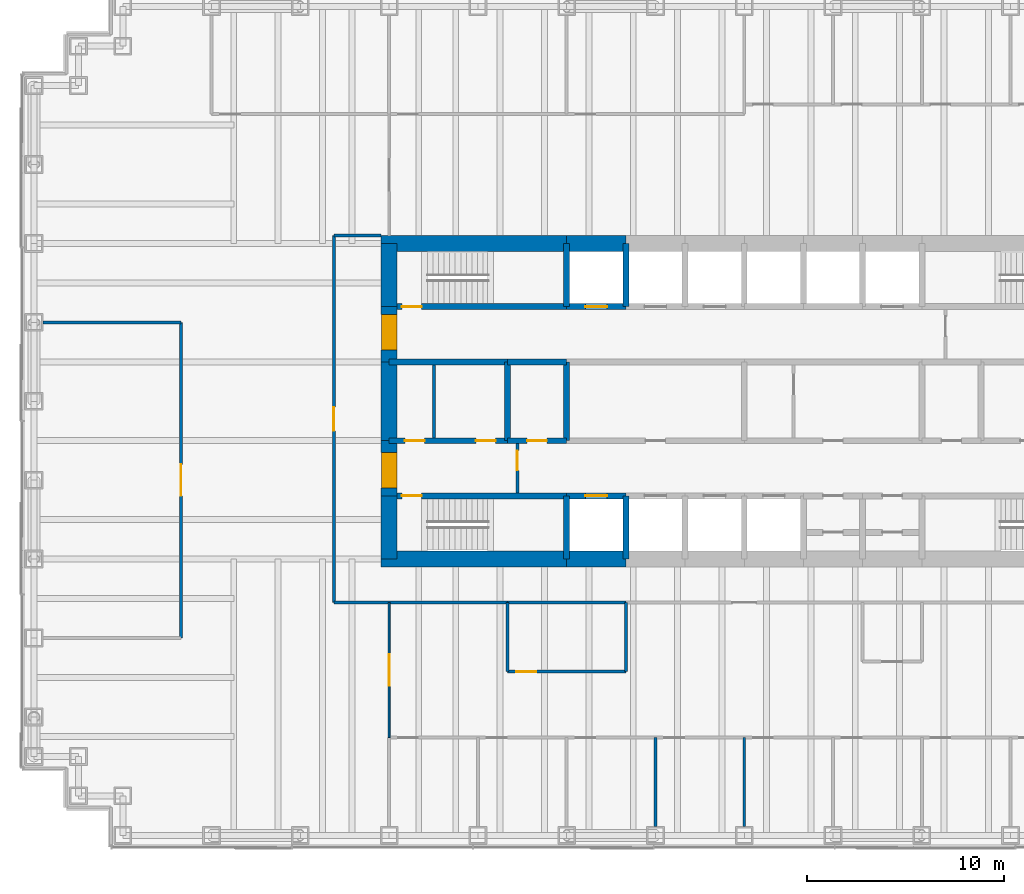
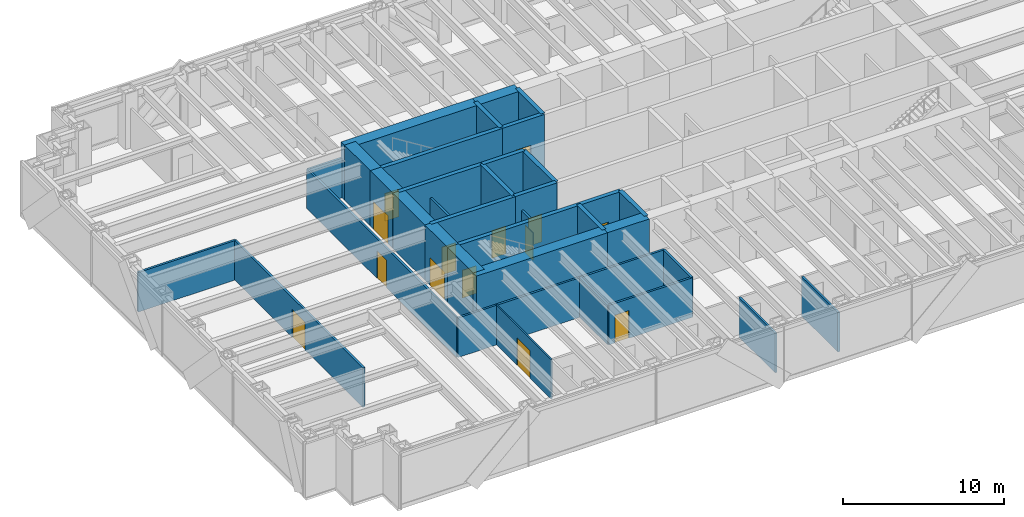
# One storey, part 11 of 16: 37 walls, 14 doors, 14 openings.
"""IFC4 building model written with IfcOpenShell, lengths in metres."""

from ifc_helpers import new_model, si_unit, direction, frame, frame_2d, origin, place, context, subcontext, project, spatial, rectangle, extrude, material, layer, layer_set, type_object, element, fill, save


model = new_model("IFC4")

# Units and contexts
model_context = context("Model", 3, precision=1e-05, world=origin(), true_north=direction((0.0, 1.0)))
body_context = subcontext(model_context, "Body", "Model", "MODEL_VIEW")
ifc_project = project(units=[si_unit("LENGTHUNIT", "METRE"), si_unit("AREAUNIT", "SQUARE_METRE"), si_unit("VOLUMEUNIT", "CUBIC_METRE"), si_unit("PLANEANGLEUNIT", "RADIAN"), si_unit("MASSUNIT", "GRAM", prefix="KILO")], contexts=[model_context])

# Site, building, storey
site_placement = place(None, origin())
site = spatial("IfcSite", under=ifc_project, at=site_placement, CompositionType="ELEMENT")
building_placement = place(site_placement, origin())
building = spatial("IfcBuilding", under=site, at=building_placement, Name="Rheinbord Bourse Tower", CompositionType="ELEMENT")
storey_placement = place(building_placement, frame((0.0, 0.0, 219.39990234375)))
storey = spatial("IfcBuildingStorey", under=building, at=storey_placement, Name="L49", CompositionType="ELEMENT", Elevation=219.39990234375)

# Wall, opening, door
ifc_material_1 = material(Name="Concrete C50/60", Category="concrete")
ifc_layer_1 = layer(ifc_material_1, 0.300048828125)
ifc_layer_set_1 = layer_set([ifc_layer_1], Name="CORE INNER WALL 300")
wall_type_1 = type_object("IfcWallType", Name="CORE INNER WALL 300", PredefinedType="SOLIDWALL", material=ifc_layer_set_1)
wall_1_placement = place(storey_placement, frame((18.0, 19.199951171875, 0.0), z_axis=(0.0, 0.0, 1.0), x_axis=(1.0, 0.0, 0.0)))
wall_1 = element("IfcWall", 1, at=wall_1_placement, inside=storey, type_object=wall_type_1, Name="Core wall A1 L49", PredefinedType="SOLIDWALL", context=body_context, shape_type="SweptSolid", body=[
    extrude(rectangle(XDim=9.0, YDim=0.300048828125, at=frame_2d((4.5, 0.0))), origin(), (0.0, 0.0, 1.0), 4.2001953125),
])
opening_1_placement = place(wall_1_placement, frame((0.64990234375, 0.0, 0.0)))
opening_1 = element("IfcOpeningElement", 2, at=opening_1_placement, cuts=wall_1, Name="Opening 4910", PredefinedType="OPENING", context=body_context, shape_type="SweptSolid", body=[
    extrude(rectangle(XDim=1.0, YDim=2.10009765625, at=frame_2d((0.5, 1.050048828125))), frame((0.0, 0.159912109375, 0.0), z_axis=(0.0, -1.0, 0.0), x_axis=(1.0, 0.0, 0.0)), (0.0, 0.0, 1.0), 0.320068359375),
])
ifc_material_2 = material(Name="Steel door", Category="steel")
door_type_1 = type_object("IfcDoorType", Name="DOOR 1000 EI30", OperationType="SINGLE_SWING_LEFT", PredefinedType="DOOR", material=ifc_material_2)
door_1_placement = place(opening_1_placement, origin())
door_1 = element("IfcDoor", 3, at=door_1_placement, inside=storey, type_object=door_type_1, Name="Stair door ST1 L49", OperationType="SINGLE_SWING_LEFT", OverallHeight=2.10009765625, OverallWidth=1.0, PredefinedType="DOOR", context=body_context, shape_type="SweptSolid", body=[
    extrude(rectangle(XDim=1.0, YDim=2.10009765625, at=frame_2d((0.5, 1.050048828125))), frame((0.0, 0.02490234375, 0.0), z_axis=(0.0, -1.0, 0.0), x_axis=(1.0, 0.0, 0.0)), (0.0, 0.0, 1.0), 0.050048828125),
])
fill(opening_1, door_1)

wall_2_placement = place(storey_placement, frame((27.0, 19.199951171875, 0.0), z_axis=(0.0, 0.0, 1.0), x_axis=(1.0, 0.0, 0.0)))
wall_2 = element("IfcWall", 4, at=wall_2_placement, inside=storey, type_object=wall_type_1, Name="Core wall A2 L49", PredefinedType="SOLIDWALL", context=body_context, shape_type="SweptSolid", body=[
    extrude(rectangle(XDim=3.0, YDim=0.300048828125, at=frame_2d((1.5, 0.0))), origin(), (0.0, 0.0, 1.0), 4.2001953125),
])
opening_2_placement = place(wall_2_placement, frame((0.949951171875, 0.0, 0.0)))
opening_2 = element("IfcOpeningElement", 5, at=opening_2_placement, cuts=wall_2, Name="Opening FL1", PredefinedType="OPENING", context=body_context, shape_type="SweptSolid", body=[
    extrude(rectangle(XDim=1.10009765625, YDim=2.199951171875, at=frame_2d((0.550048828125, 1.10009765625))), frame((0.0, 0.159912109375, 0.0), z_axis=(0.0, -1.0, 0.0), x_axis=(1.0, 0.0, 0.0)), (0.0, 0.0, 1.0), 0.320068359375),
])
ifc_material_3 = material(Name="Steel landing door", Category="steel")
door_type_2 = type_object("IfcDoorType", Name="LIFT LANDING DOOR 1100", OperationType="DOUBLE_DOOR_SLIDING", PredefinedType="USERDEFINED", material=ifc_material_3)
door_2_placement = place(opening_2_placement, origin())
door_2 = element("IfcDoor", 6, at=door_2_placement, inside=storey, type_object=door_type_2, Name="Lift landing door FL1 L49", ObjectType="LIFT LANDING DOOR", OperationType="DOUBLE_DOOR_SLIDING", OverallHeight=2.199951171875, OverallWidth=1.10009765625, PredefinedType="USERDEFINED", context=body_context, shape_type="SweptSolid", body=[
    extrude(rectangle(XDim=1.10009765625, YDim=2.199951171875, at=frame_2d((0.550048828125, 1.10009765625))), frame((0.0, 0.02490234375, 0.0), z_axis=(0.0, -1.0, 0.0), x_axis=(1.0, 0.0, 0.0)), (0.0, 0.0, 1.0), 0.050048828125),
])
fill(opening_2, door_2)

wall_3_placement = place(storey_placement, frame((18.0, 28.800048828125, 0.0), z_axis=(0.0, 0.0, 1.0), x_axis=(1.0, 0.0, 0.0)))
wall_3 = element("IfcWall", 7, at=wall_3_placement, inside=storey, type_object=wall_type_1, Name="Core wall B1 L49", PredefinedType="SOLIDWALL", context=body_context, shape_type="SweptSolid", body=[
    extrude(rectangle(XDim=9.0, YDim=0.300048828125, at=frame_2d((4.5, 0.0))), origin(), (0.0, 0.0, 1.0), 4.2001953125),
])
opening_3_placement = place(wall_3_placement, frame((0.64990234375, 0.0, 0.0)))
opening_3 = element("IfcOpeningElement", 8, at=opening_3_placement, cuts=wall_3, Name="Opening 4920", PredefinedType="OPENING", context=body_context, shape_type="SweptSolid", body=[
    extrude(rectangle(XDim=1.0, YDim=2.10009765625, at=frame_2d((0.5, 1.050048828125))), frame((0.0, 0.159912109375, 0.0), z_axis=(0.0, -1.0, 0.0), x_axis=(1.0, 0.0, 0.0)), (0.0, 0.0, 1.0), 0.320068359375),
])
door_3_placement = place(opening_3_placement, origin())
door_3 = element("IfcDoor", 9, at=door_3_placement, inside=storey, type_object=door_type_1, Name="Stair door ST2 L49", OperationType="SINGLE_SWING_LEFT", OverallHeight=2.10009765625, OverallWidth=1.0, PredefinedType="DOOR", context=body_context, shape_type="SweptSolid", body=[
    extrude(rectangle(XDim=1.0, YDim=2.10009765625, at=frame_2d((0.5, 1.050048828125))), frame((0.0, 0.02490234375, 0.0), z_axis=(0.0, -1.0, 0.0), x_axis=(1.0, 0.0, 0.0)), (0.0, 0.0, 1.0), 0.050048828125),
])
fill(opening_3, door_3)

wall_4_placement = place(storey_placement, frame((27.0, 28.800048828125, 0.0), z_axis=(0.0, 0.0, 1.0), x_axis=(1.0, 0.0, 0.0)))
wall_4 = element("IfcWall", 10, at=wall_4_placement, inside=storey, type_object=wall_type_1, Name="Core wall B2 L49", PredefinedType="SOLIDWALL", context=body_context, shape_type="SweptSolid", body=[
    extrude(rectangle(XDim=3.0, YDim=0.300048828125, at=frame_2d((1.5, 0.0))), origin(), (0.0, 0.0, 1.0), 4.2001953125),
])
opening_4_placement = place(wall_4_placement, frame((0.949951171875, 0.0, 0.0)))
opening_4 = element("IfcOpeningElement", 11, at=opening_4_placement, cuts=wall_4, Name="Opening GL1", PredefinedType="OPENING", context=body_context, shape_type="SweptSolid", body=[
    extrude(rectangle(XDim=1.10009765625, YDim=2.199951171875, at=frame_2d((0.550048828125, 1.10009765625))), frame((0.0, 0.159912109375, 0.0), z_axis=(0.0, -1.0, 0.0), x_axis=(1.0, 0.0, 0.0)), (0.0, 0.0, 1.0), 0.320068359375),
])
door_4_placement = place(opening_4_placement, origin())
door_4 = element("IfcDoor", 12, at=door_4_placement, inside=storey, type_object=door_type_2, Name="Lift landing door GL1 L49", ObjectType="LIFT LANDING DOOR", OperationType="DOUBLE_DOOR_SLIDING", OverallHeight=2.199951171875, OverallWidth=1.10009765625, PredefinedType="USERDEFINED", context=body_context, shape_type="SweptSolid", body=[
    extrude(rectangle(XDim=1.10009765625, YDim=2.199951171875, at=frame_2d((0.550048828125, 1.10009765625))), frame((0.0, 0.02490234375, 0.0), z_axis=(0.0, -1.0, 0.0), x_axis=(1.0, 0.0, 0.0)), (0.0, 0.0, 1.0), 0.050048828125),
])
fill(opening_4, door_4)

# Wall, openings, doors
wall_5_placement = place(storey_placement, frame((18.0, 22.0, 0.0), z_axis=(0.0, 0.0, 1.0), x_axis=(1.0, 0.0, 0.0)))
wall_5 = element("IfcWall", 13, at=wall_5_placement, inside=storey, type_object=wall_type_1, Name="Core wall C1 L49", PredefinedType="SOLIDWALL", context=body_context, shape_type="SweptSolid", body=[
    extrude(rectangle(XDim=6.0, YDim=0.300048828125, at=frame_2d((3.0, 0.0))), origin(), (0.0, 0.0, 1.0), 4.2001953125),
])
opening_5_placement = place(wall_5_placement, frame((4.39990234375, 0.0, 0.0)))
opening_5 = element("IfcOpeningElement", 14, at=opening_5_placement, cuts=wall_5, Name="Opening 49R1", PredefinedType="OPENING", context=body_context, shape_type="SweptSolid", body=[
    extrude(rectangle(XDim=1.0, YDim=2.10009765625, at=frame_2d((0.5, 1.050048828125))), frame((0.0, 0.159912109375, 0.0), z_axis=(0.0, -1.0, 0.0), x_axis=(1.0, 0.0, 0.0)), (0.0, 0.0, 1.0), 0.320068359375),
])
opening_6_placement = place(wall_5_placement, frame((0.800048828125, 0.0, 0.0)))
opening_6 = element("IfcOpeningElement", 15, at=opening_6_placement, cuts=wall_5, Name="Opening 49R9", PredefinedType="OPENING", context=body_context, shape_type="SweptSolid", body=[
    extrude(rectangle(XDim=1.0, YDim=2.10009765625, at=frame_2d((0.5, 1.050048828125))), frame((0.0, 0.159912109375, 0.0), z_axis=(0.0, -1.0, 0.0), x_axis=(1.0, 0.0, 0.0)), (0.0, 0.0, 1.0), 0.320068359375),
])
door_5_placement = place(opening_6_placement, origin())
door_5 = element("IfcDoor", 16, at=door_5_placement, inside=storey, type_object=door_type_1, Name="Staff shower door L49", OperationType="SINGLE_SWING_LEFT", OverallHeight=2.10009765625, OverallWidth=1.0, PredefinedType="DOOR", context=body_context, shape_type="SweptSolid", body=[
    extrude(rectangle(XDim=1.0, YDim=2.10009765625, at=frame_2d((0.5, 1.050048828125))), frame((0.0, 0.02490234375, 0.0), z_axis=(0.0, -1.0, 0.0), x_axis=(1.0, 0.0, 0.0)), (0.0, 0.0, 1.0), 0.050048828125),
])
fill(opening_6, door_5)
ifc_material_4 = material(Name="Timber door", Category="wood")
door_type_3 = type_object("IfcDoorType", Name="DOOR 1000 WC", OperationType="SINGLE_SWING_LEFT", PredefinedType="DOOR", material=ifc_material_4)
door_6_placement = place(opening_5_placement, origin())
door_6 = element("IfcDoor", 17, at=door_6_placement, inside=storey, type_object=door_type_3, Name="WC men door L49", OperationType="SINGLE_SWING_RIGHT", OverallHeight=2.10009765625, OverallWidth=1.0, PredefinedType="DOOR", context=body_context, shape_type="SweptSolid", body=[
    extrude(rectangle(XDim=1.0, YDim=2.10009765625, at=frame_2d((0.5, 1.050048828125))), frame((0.0, 0.02490234375, 0.0), z_axis=(0.0, -1.0, 0.0), x_axis=(1.0, 0.0, 0.0)), (0.0, 0.0, 1.0), 0.050048828125),
])
fill(opening_5, door_6)

# Wall, opening, door
wall_6_placement = place(storey_placement, frame((24.0, 22.0, 0.0), z_axis=(0.0, 0.0, 1.0), x_axis=(1.0, 0.0, 0.0)))
wall_6 = element("IfcWall", 18, at=wall_6_placement, inside=storey, type_object=wall_type_1, Name="Core wall C2 L49", PredefinedType="SOLIDWALL", context=body_context, shape_type="SweptSolid", body=[
    extrude(rectangle(XDim=3.0, YDim=0.300048828125, at=frame_2d((1.5, 0.0))), origin(), (0.0, 0.0, 1.0), 4.2001953125),
])
opening_7_placement = place(wall_6_placement, frame((1.0, 0.0, 0.0)))
opening_7 = element("IfcOpeningElement", 19, at=opening_7_placement, cuts=wall_6, Name="Opening 49R2", PredefinedType="OPENING", context=body_context, shape_type="SweptSolid", body=[
    extrude(rectangle(XDim=1.0, YDim=2.10009765625, at=frame_2d((0.5, 1.050048828125))), frame((0.0, 0.159912109375, 0.0), z_axis=(0.0, -1.0, 0.0), x_axis=(1.0, 0.0, 0.0)), (0.0, 0.0, 1.0), 0.320068359375),
])
door_7_placement = place(opening_7_placement, origin())
door_7 = element("IfcDoor", 20, at=door_7_placement, inside=storey, type_object=door_type_3, Name="Accessible WC door L49", OperationType="SINGLE_SWING_LEFT", OverallHeight=2.10009765625, OverallWidth=1.0, PredefinedType="DOOR", context=body_context, shape_type="SweptSolid", body=[
    extrude(rectangle(XDim=1.0, YDim=2.10009765625, at=frame_2d((0.5, 1.050048828125))), frame((0.0, 0.02490234375, 0.0), z_axis=(0.0, -1.0, 0.0), x_axis=(1.0, 0.0, 0.0)), (0.0, 0.0, 1.0), 0.050048828125),
])
fill(opening_7, door_7)

# Walls
wall_7_placement = place(storey_placement, frame((18.0, 26.0, 0.0), z_axis=(0.0, 0.0, 1.0), x_axis=(1.0, 0.0, 0.0)))
element("IfcWall", 21, at=wall_7_placement, inside=storey, type_object=wall_type_1, Name="Core wall D1 L49", PredefinedType="SOLIDWALL", context=body_context, shape_type="SweptSolid", body=[
    extrude(rectangle(XDim=6.0, YDim=0.300048828125, at=frame_2d((3.0, 0.0))), origin(), (0.0, 0.0, 1.0), 4.2001953125),
])
wall_8_placement = place(storey_placement, frame((24.0, 26.0, 0.0), z_axis=(0.0, 0.0, 1.0), x_axis=(1.0, 0.0, 0.0)))
element("IfcWall", 22, at=wall_8_placement, inside=storey, type_object=wall_type_1, Name="Core wall D2 L49", PredefinedType="SOLIDWALL", context=body_context, shape_type="SweptSolid", body=[
    extrude(rectangle(XDim=3.0, YDim=0.300048828125, at=frame_2d((1.5, 0.0))), origin(), (0.0, 0.0, 1.0), 4.2001953125),
])
for number, where, z_axis, x_axis, name in (
    (23, (27.0, 16.0, 0.0), (0.0, 0.0, 1.0), (0.0, 1.0, 0.0), "Core wall SX27 L49"),
    (24, (27.0, 28.800048828125, 0.0), (0.0, 0.0, 1.0), (0.0, 1.0, 0.0), "Core wall NX27 L49"),
    (25, (30.0, 16.0, 0.0), (0.0, 0.0, 1.0), (0.0, 1.0, 0.0), "Core wall SX30 L49"),
    (26, (30.0, 28.800048828125, 0.0), (0.0, 0.0, 1.0), (0.0, 1.0, 0.0), "Core wall NX30 L49"),
):
    element("IfcWall", number, at=place(storey_placement, frame(where, z_axis=z_axis, x_axis=x_axis)), inside=storey, type_object=wall_type_1, Name=name, PredefinedType="SOLIDWALL", context=body_context, shape_type="SweptSolid", body=[
        extrude(rectangle(XDim=3.199951171875, YDim=0.300048828125, at=frame_2d((1.60009765625, 0.0))), origin(), (0.0, 0.0, 1.0), 4.2001953125),
    ])
for number, where, z_axis, x_axis, name in (
    (27, (24.0, 22.0, 0.0), (0.0, 0.0, 1.0), (0.0, 1.0, 0.0), "Core wall MX24 L49"),
    (28, (27.0, 22.0, 0.0), (0.0, 0.0, 1.0), (0.0, 1.0, 0.0), "Core wall MX27 L49"),
):
    element("IfcWall", number, at=place(storey_placement, frame(where, z_axis=z_axis, x_axis=x_axis)), inside=storey, type_object=wall_type_1, Name=name, PredefinedType="SOLIDWALL", context=body_context, shape_type="SweptSolid", body=[
        extrude(rectangle(XDim=4.0, YDim=0.300048828125, at=frame_2d((2.0, 0.0))), origin(), (0.0, 0.0, 1.0), 4.2001953125),
    ])
ifc_material_5 = material(Name="Gypsum board fire partition", Category="gypsum board")
ifc_layer_2 = layer(ifc_material_5, 0.14990234375)
ifc_layer_set_2 = layer_set([ifc_layer_2], Name="CORE PARTITION 150 EI30")
wall_type_2 = type_object("IfcWallType", Name="CORE PARTITION 150 EI30", PredefinedType="PARTITIONING", material=ifc_layer_set_2)
wall_9_placement = place(storey_placement, frame((20.27490234375, 22.14990234375, 0.0), z_axis=(0.0, 0.0, 1.0), x_axis=(0.0, 1.0, 0.0)))
element("IfcWall", 29, at=wall_9_placement, inside=storey, type_object=wall_type_2, Name="Core partition L49-2", PredefinedType="PARTITIONING", context=body_context, shape_type="SweptSolid", body=[
    extrude(rectangle(XDim=3.7001953125, YDim=0.14990234375, at=frame_2d((1.85009765625, 0.0))), origin(), (0.0, 0.0, 1.0), 3.0),
])

# Wall, opening, door
wall_10_placement = place(storey_placement, frame((24.5, 19.35009765625, 0.0), z_axis=(0.0, 0.0, 1.0), x_axis=(0.0, 1.0, 0.0)))
wall_10 = element("IfcWall", 30, at=wall_10_placement, inside=storey, type_object=wall_type_2, Name="Core partition L49-4", PredefinedType="PARTITIONING", context=body_context, shape_type="SweptSolid", body=[
    extrude(rectangle(XDim=2.5, YDim=0.14990234375, at=frame_2d((1.25, 0.0))), origin(), (0.0, 0.0, 1.0), 3.0),
])
opening_8_placement = place(wall_10_placement, frame((1.14990234375, 0.0, 0.0)))
opening_8 = element("IfcOpeningElement", 31, at=opening_8_placement, cuts=wall_10, Name="Opening 49L5", PredefinedType="OPENING", context=body_context, shape_type="SweptSolid", body=[
    extrude(rectangle(XDim=1.0, YDim=2.10009765625, at=frame_2d((0.5, 1.050048828125))), frame((0.0, 0.0849609375, 0.0), z_axis=(0.0, -1.0, 0.0), x_axis=(1.0, 0.0, 0.0)), (0.0, 0.0, 1.0), 0.169921875),
])
door_8_placement = place(opening_8_placement, origin())
door_8 = element("IfcDoor", 32, at=door_8_placement, inside=storey, type_object=door_type_1, Name="Stair lobby door L49", OperationType="SINGLE_SWING_RIGHT", OverallHeight=2.10009765625, OverallWidth=1.0, PredefinedType="DOOR", context=body_context, shape_type="SweptSolid", body=[
    extrude(rectangle(XDim=1.0, YDim=2.10009765625, at=frame_2d((0.5, 1.050048828125))), frame((0.0, 0.02490234375, 0.0), z_axis=(0.0, -1.0, 0.0), x_axis=(1.0, 0.0, 0.0)), (0.0, 0.0, 1.0), 0.050048828125),
])
fill(opening_8, door_8)

# Walls
ifc_material_6 = material(Name="Concrete C50/60", Category="concrete")
ifc_layer_3 = layer(ifc_material_6, 0.800048828125)
ifc_layer_set_3 = layer_set([ifc_layer_3], Name="CORE WALL 800")
wall_type_3 = type_object("IfcWallType", Name="CORE WALL 800", PredefinedType="SHEAR", material=ifc_layer_set_3)
wall_11_placement = place(storey_placement, frame((17.60009765625, 16.0, 0.0), z_axis=(0.0, 0.0, 1.0), x_axis=(1.0, 0.0, 0.0)))
element("IfcWall", 33, at=wall_11_placement, inside=storey, type_object=wall_type_3, Name="Core wall S1 L49", PredefinedType="SHEAR", context=body_context, shape_type="SweptSolid", body=[
    extrude(rectangle(XDim=9.39990234375, YDim=0.800048828125, at=frame_2d((4.699951171875, 0.0))), origin(), (0.0, 0.0, 1.0), 4.2001953125),
])
for number, where, z_axis, x_axis, name in (
    (34, (27.0, 16.0, 0.0), (0.0, 0.0, 1.0), (1.0, 0.0, 0.0), "Core wall S2 L49"),
    (35, (30.0, 32.0, 0.0), (0.0, 0.0, 1.0), (-1.0, 0.0, 0.0), "Core wall N7 L49"),
):
    element("IfcWall", number, at=place(storey_placement, frame(where, z_axis=z_axis, x_axis=x_axis)), inside=storey, type_object=wall_type_3, Name=name, PredefinedType="SHEAR", context=body_context, shape_type="SweptSolid", body=[
        extrude(rectangle(XDim=3.0, YDim=0.800048828125, at=frame_2d((1.5, 0.0))), origin(), (0.0, 0.0, 1.0), 4.2001953125),
    ])
wall_12_placement = place(storey_placement, frame((27.0, 32.0, 0.0), z_axis=(0.0, 0.0, 1.0), x_axis=(-1.0, 0.0, 0.0)))
element("IfcWall", 36, at=wall_12_placement, inside=storey, type_object=wall_type_3, Name="Core wall N8 L49", PredefinedType="SHEAR", context=body_context, shape_type="SweptSolid", body=[
    extrude(rectangle(XDim=9.39990234375, YDim=0.800048828125, at=frame_2d((4.699951171875, 0.0))), origin(), (0.0, 0.0, 1.0), 4.2001953125),
])
wall_13_placement = place(storey_placement, frame((18.0, 32.0, 0.0), z_axis=(0.0, 0.0, 1.0), x_axis=(0.0, -1.0, 0.0)))
element("IfcWall", 37, at=wall_13_placement, inside=storey, type_object=wall_type_3, Name="Core wall W1 L49", PredefinedType="SHEAR", context=body_context, shape_type="SweptSolid", body=[
    extrude(rectangle(XDim=3.199951171875, YDim=0.800048828125, at=frame_2d((1.60009765625, 0.0))), origin(), (0.0, 0.0, 1.0), 4.2001953125),
])

# Wall, opening, door
wall_14_placement = place(storey_placement, frame((18.0, 28.800048828125, 0.0), z_axis=(0.0, 0.0, 1.0), x_axis=(0.0, -1.0, 0.0)))
wall_14 = element("IfcWall", 38, at=wall_14_placement, inside=storey, type_object=wall_type_3, Name="Core wall W2 L49", PredefinedType="SHEAR", context=body_context, shape_type="SweptSolid", body=[
    extrude(rectangle(XDim=2.800048828125, YDim=0.800048828125, at=frame_2d((1.39990234375, 0.0))), origin(), (0.0, 0.0, 1.0), 4.2001953125),
])
opening_9_placement = place(wall_14_placement, frame((0.39990234375, 0.0, 0.0)))
opening_9 = element("IfcOpeningElement", 39, at=opening_9_placement, cuts=wall_14, Name="Opening 49L2", PredefinedType="OPENING", context=body_context, shape_type="SweptSolid", body=[
    extrude(rectangle(XDim=1.800048828125, YDim=2.10009765625, at=frame_2d((0.89990234375, 1.050048828125))), frame((0.0, 0.409912109375, 0.0), z_axis=(0.0, -1.0, 0.0), x_axis=(1.0, 0.0, 0.0)), (0.0, 0.0, 1.0), 0.820068359375),
])
ifc_material_7 = material(Name="Steel door", Category="steel")
door_type_4 = type_object("IfcDoorType", Name="DOOR 1800 EI30 DOUBLE", OperationType="DOUBLE_DOOR_DOUBLE_SWING", PredefinedType="DOOR", material=ifc_material_7)
door_9_placement = place(opening_9_placement, origin())
door_9 = element("IfcDoor", 40, at=door_9_placement, inside=storey, type_object=door_type_4, Name="Lobby door 2 L49", OperationType="SINGLE_SWING_LEFT", OverallHeight=2.10009765625, OverallWidth=1.800048828125, PredefinedType="DOOR", context=body_context, shape_type="SweptSolid", body=[
    extrude(rectangle(XDim=1.800048828125, YDim=2.10009765625, at=frame_2d((0.89990234375, 1.050048828125))), frame((0.0, 0.39990234375, 0.0), z_axis=(0.0, -1.0, 0.0), x_axis=(1.0, 0.0, 0.0)), (0.0, 0.0, 1.0), 0.799560546875),
])
fill(opening_9, door_9)

# Wall
wall_15_placement = place(storey_placement, frame((18.0, 26.0, 0.0), z_axis=(0.0, 0.0, 1.0), x_axis=(0.0, -1.0, 0.0)))
element("IfcWall", 41, at=wall_15_placement, inside=storey, type_object=wall_type_3, Name="Core wall W3 L49", PredefinedType="SHEAR", context=body_context, shape_type="SweptSolid", body=[
    extrude(rectangle(XDim=4.0, YDim=0.800048828125, at=frame_2d((2.0, 0.0))), origin(), (0.0, 0.0, 1.0), 4.2001953125),
])

# Wall, opening, door
wall_16_placement = place(storey_placement, frame((18.0, 22.0, 0.0), z_axis=(0.0, 0.0, 1.0), x_axis=(0.0, -1.0, 0.0)))
wall_16 = element("IfcWall", 42, at=wall_16_placement, inside=storey, type_object=wall_type_3, Name="Core wall W4 L49", PredefinedType="SHEAR", context=body_context, shape_type="SweptSolid", body=[
    extrude(rectangle(XDim=2.800048828125, YDim=0.800048828125, at=frame_2d((1.39990234375, 0.0))), origin(), (0.0, 0.0, 1.0), 4.2001953125),
])
opening_10_placement = place(wall_16_placement, frame((0.60009765625, 0.0, 0.0)))
opening_10 = element("IfcOpeningElement", 43, at=opening_10_placement, cuts=wall_16, Name="Opening 49L1", PredefinedType="OPENING", context=body_context, shape_type="SweptSolid", body=[
    extrude(rectangle(XDim=1.800048828125, YDim=2.10009765625, at=frame_2d((0.89990234375, 1.050048828125))), frame((0.0, 0.409912109375, 0.0), z_axis=(0.0, -1.0, 0.0), x_axis=(1.0, 0.0, 0.0)), (0.0, 0.0, 1.0), 0.820068359375),
])
door_10_placement = place(opening_10_placement, origin())
door_10 = element("IfcDoor", 44, at=door_10_placement, inside=storey, type_object=door_type_4, Name="Lobby door 1 L49", OperationType="SINGLE_SWING_LEFT", OverallHeight=2.10009765625, OverallWidth=1.800048828125, PredefinedType="DOOR", context=body_context, shape_type="SweptSolid", body=[
    extrude(rectangle(XDim=1.800048828125, YDim=2.10009765625, at=frame_2d((0.89990234375, 1.050048828125))), frame((0.0, 0.39990234375, 0.0), z_axis=(0.0, -1.0, 0.0), x_axis=(1.0, 0.0, 0.0)), (0.0, 0.0, 1.0), 0.799560546875),
])
fill(opening_10, door_10)

# Walls
wall_17_placement = place(storey_placement, frame((18.0, 19.199951171875, 0.0), z_axis=(0.0, 0.0, 1.0), x_axis=(0.0, -1.0, 0.0)))
element("IfcWall", 45, at=wall_17_placement, inside=storey, type_object=wall_type_3, Name="Core wall W5 L49", PredefinedType="SHEAR", context=body_context, shape_type="SweptSolid", body=[
    extrude(rectangle(XDim=3.199951171875, YDim=0.800048828125, at=frame_2d((1.60009765625, 0.0))), origin(), (0.0, 0.0, 1.0), 4.2001953125),
])
ifc_material_8 = material(Name="Gypsum board corridor partition", Category="gypsum board")
ifc_layer_4 = layer(ifc_material_8, 0.14990234375)
ifc_layer_set_4 = layer_set([ifc_layer_4], Name="CORRIDOR PARTITION 150 EI30")
wall_type_4 = type_object("IfcWallType", Name="CORRIDOR PARTITION 150 EI30", PredefinedType="PARTITIONING", material=ifc_layer_set_4)
wall_18_placement = place(storey_placement, frame((15.199951171875, 13.800048828125, 0.0), z_axis=(0.0, 0.0, 1.0), x_axis=(1.0, 0.0, 0.0)))
element("IfcWall", 46, at=wall_18_placement, inside=storey, type_object=wall_type_4, Name="Partition L49-06", PredefinedType="PARTITIONING", context=body_context, shape_type="SweptSolid", body=[
    extrude(rectangle(XDim=8.800048828125, YDim=0.14990234375, at=frame_2d((4.39990234375, 0.0))), origin(), (0.0, 0.0, 1.0), 3.0),
])
wall_19_placement = place(storey_placement, frame((15.199951171875, 32.39990234375, 0.0), z_axis=(0.0, 0.0, 1.0), x_axis=(1.0, 0.0, 0.0)))
element("IfcWall", 47, at=wall_19_placement, inside=storey, type_object=wall_type_4, Name="Partition L49-13", PredefinedType="PARTITIONING", context=body_context, shape_type="SweptSolid", body=[
    extrude(rectangle(XDim=2.400146484375, YDim=0.14990234375, at=frame_2d((1.2001953125, 0.0))), origin(), (0.0, 0.0, 1.0), 3.0),
])

# Wall, opening, door
wall_20_placement = place(storey_placement, frame((15.199951171875, 13.800048828125, 0.0), z_axis=(0.0, 0.0, 1.0), x_axis=(0.0, 1.0, 0.0)))
wall_20 = element("IfcWall", 48, at=wall_20_placement, inside=storey, type_object=wall_type_4, Name="Partition L49-19", PredefinedType="PARTITIONING", context=body_context, shape_type="SweptSolid", body=[
    extrude(rectangle(XDim=18.599853515625, YDim=0.14990234375, at=frame_2d((9.2998046875, 0.0))), origin(), (0.0, 0.0, 1.0), 3.0),
])
opening_11_placement = place(wall_20_placement, frame((8.699951171875, 0.0, 0.0)))
opening_11 = element("IfcOpeningElement", 49, at=opening_11_placement, cuts=wall_20, Name="Opening 49D27", PredefinedType="OPENING", context=body_context, shape_type="SweptSolid", body=[
    extrude(rectangle(XDim=1.199951171875, YDim=2.10009765625, at=frame_2d((0.60009765625, 1.050048828125))), frame((0.0, 0.0849609375, 0.0), z_axis=(0.0, -1.0, 0.0), x_axis=(1.0, 0.0, 0.0)), (0.0, 0.0, 1.0), 0.169921875),
])
ifc_material_9 = material(Name="Timber fire door", Category="wood")
door_type_5 = type_object("IfcDoorType", Name="SUITE ENTRANCE DOOR 1200 EI30", OperationType="SINGLE_SWING_LEFT", PredefinedType="DOOR", material=ifc_material_9)
door_11_placement = place(opening_11_placement, origin())
door_11 = element("IfcDoor", 50, at=door_11_placement, inside=storey, type_object=door_type_5, Name="Suite entrance 1 door L49", OperationType="SINGLE_SWING_LEFT", OverallHeight=2.10009765625, OverallWidth=1.199951171875, PredefinedType="DOOR", context=body_context, shape_type="SweptSolid", body=[
    extrude(rectangle(XDim=1.199951171875, YDim=2.10009765625, at=frame_2d((0.60009765625, 1.050048828125))), frame((0.0, 0.02490234375, 0.0), z_axis=(0.0, -1.0, 0.0), x_axis=(1.0, 0.0, 0.0)), (0.0, 0.0, 1.0), 0.050048828125),
])
fill(opening_11, door_11)

ifc_material_10 = material(Name="Gypsum board fire partition", Category="gypsum board")
ifc_layer_5 = layer(ifc_material_10, 0.14990234375)
ifc_layer_set_5 = layer_set([ifc_layer_5], Name="FIRE PARTITION 150 EI60")
wall_type_5 = type_object("IfcWallType", Name="FIRE PARTITION 150 EI60", PredefinedType="PARTITIONING", material=ifc_layer_set_5)
wall_21_placement = place(storey_placement, frame((24.0, 10.300048828125, 0.0), z_axis=(0.0, 0.0, 1.0), x_axis=(1.0, 0.0, 0.0)))
wall_21 = element("IfcWall", 51, at=wall_21_placement, inside=storey, type_object=wall_type_5, Name="Partition L49-03", PredefinedType="PARTITIONING", context=body_context, shape_type="SweptSolid", body=[
    extrude(rectangle(XDim=6.0, YDim=0.14990234375, at=frame_2d((3.0, 0.0))), origin(), (0.0, 0.0, 1.0), 3.0),
])
opening_12_placement = place(wall_21_placement, frame((0.449951171875, 0.0, 0.0)))
opening_12 = element("IfcOpeningElement", 52, at=opening_12_placement, cuts=wall_21, Name="Opening 49D09", PredefinedType="OPENING", context=body_context, shape_type="SweptSolid", body=[
    extrude(rectangle(XDim=1.0, YDim=2.10009765625, at=frame_2d((0.5, 1.050048828125))), frame((0.0, 0.0849609375, 0.0), z_axis=(0.0, -1.0, 0.0), x_axis=(1.0, 0.0, 0.0)), (0.0, 0.0, 1.0), 0.169921875),
])
ifc_material_11 = material(Name="Timber fire door", Category="wood")
door_type_6 = type_object("IfcDoorType", Name="FIRE DOOR 1000 EI60", OperationType="SINGLE_SWING_LEFT", PredefinedType="DOOR", material=ifc_material_11)
door_12_placement = place(opening_12_placement, origin())
door_12 = element("IfcDoor", 53, at=door_12_placement, inside=storey, type_object=door_type_6, Name="File room door L49", OperationType="SINGLE_SWING_LEFT", OverallHeight=2.10009765625, OverallWidth=1.0, PredefinedType="DOOR", context=body_context, shape_type="SweptSolid", body=[
    extrude(rectangle(XDim=1.0, YDim=2.10009765625, at=frame_2d((0.5, 1.050048828125))), frame((0.0, 0.02490234375, 0.0), z_axis=(0.0, -1.0, 0.0), x_axis=(1.0, 0.0, 0.0)), (0.0, 0.0, 1.0), 0.050048828125),
])
fill(opening_12, door_12)

# Walls
wall_22_placement = place(storey_placement, frame((24.0, 13.800048828125, 0.0), z_axis=(0.0, 0.0, 1.0), x_axis=(1.0, 0.0, 0.0)))
element("IfcWall", 54, at=wall_22_placement, inside=storey, type_object=wall_type_5, Name="Partition L49-07", PredefinedType="PARTITIONING", context=body_context, shape_type="SweptSolid", body=[
    extrude(rectangle(XDim=6.0, YDim=0.14990234375, at=frame_2d((3.0, 0.0))), origin(), (0.0, 0.0, 1.0), 3.0),
])
for number, where, z_axis, x_axis, name in (
    (55, (24.0, 10.300048828125, 0.0), (0.0, 0.0, 1.0), (0.0, 1.0, 0.0), "Partition L49-25"),
    (56, (30.0, 10.300048828125, 0.0), (0.0, 0.0, 1.0), (0.0, 1.0, 0.0), "Partition L49-28"),
):
    element("IfcWall", number, at=place(storey_placement, frame(where, z_axis=z_axis, x_axis=x_axis)), inside=storey, type_object=wall_type_5, Name=name, PredefinedType="PARTITIONING", context=body_context, shape_type="SweptSolid", body=[
        extrude(rectangle(XDim=3.5, YDim=0.14990234375, at=frame_2d((1.75, 0.0))), origin(), (0.0, 0.0, 1.0), 3.0),
    ])

# Wall, opening, door
ifc_material_12 = material(Name="Toughened laminated glass partition", Category="glass")
ifc_layer_6 = layer(ifc_material_12, 0.10009765625)
ifc_layer_set_6 = layer_set([ifc_layer_6], Name="GLAZED PARTITION 100")
wall_type_6 = type_object("IfcWallType", Name="GLAZED PARTITION 100", PredefinedType="PARTITIONING", material=ifc_layer_set_6)
wall_23_placement = place(storey_placement, frame((18.0, 6.949951171875, 0.0), z_axis=(0.0, 0.0, 1.0), x_axis=(0.0, 1.0, 0.0)))
wall_23 = element("IfcWall", 57, at=wall_23_placement, inside=storey, type_object=wall_type_6, Name="Partition L49-21", PredefinedType="PARTITIONING", context=body_context, shape_type="SweptSolid", body=[
    extrude(rectangle(XDim=6.85009765625, YDim=0.10009765625, at=frame_2d((3.425048828125, 0.0))), origin(), (0.0, 0.0, 1.0), 3.0),
])
opening_13_placement = place(wall_23_placement, frame((2.625, 0.0, 0.0)))
opening_13 = element("IfcOpeningElement", 58, at=opening_13_placement, cuts=wall_23, Name="Opening 49D23", PredefinedType="OPENING", context=body_context, shape_type="SweptSolid", body=[
    extrude(rectangle(XDim=1.60009765625, YDim=2.10009765625, at=frame_2d((0.800048828125, 1.050048828125))), frame((0.0, 0.06005859375, 0.0), z_axis=(0.0, -1.0, 0.0), x_axis=(1.0, 0.0, 0.0)), (0.0, 0.0, 1.0), 0.1201171875),
])
ifc_material_13 = material(Name="Timber door", Category="wood")
door_type_7 = type_object("IfcDoorType", Name="DOUBLE ROOM DOOR 1600", OperationType="DOUBLE_DOOR_DOUBLE_SWING", PredefinedType="DOOR", material=ifc_material_13)
door_13_placement = place(opening_13_placement, origin())
door_13 = element("IfcDoor", 59, at=door_13_placement, inside=storey, type_object=door_type_7, Name="Open area door L49", OperationType="SINGLE_SWING_LEFT", OverallHeight=2.10009765625, OverallWidth=1.60009765625, PredefinedType="DOOR", context=body_context, shape_type="SweptSolid", body=[
    extrude(rectangle(XDim=1.60009765625, YDim=2.10009765625, at=frame_2d((0.800048828125, 1.050048828125))), frame((0.0, 0.02490234375, 0.0), z_axis=(0.0, -1.0, 0.0), x_axis=(1.0, 0.0, 0.0)), (0.0, 0.0, 1.0), 0.050048828125),
])
fill(opening_13, door_13)

# Wall
ifc_material_14 = material(Name="Gypsum board partition", Category="gypsum board")
ifc_layer_7 = layer(ifc_material_14, 0.14990234375)
ifc_layer_set_7 = layer_set([ifc_layer_7], Name="PARTITION 150")
wall_type_7 = type_object("IfcWallType", Name="PARTITION 150", PredefinedType="PARTITIONING", material=ifc_layer_set_7)
wall_24_placement = place(storey_placement, frame((0.449951171875, 28.0, 0.0), z_axis=(0.0, 0.0, 1.0), x_axis=(1.0, 0.0, 0.0)))
element("IfcWall", 60, at=wall_24_placement, inside=storey, type_object=wall_type_7, Name="Partition L49-11", PredefinedType="PARTITIONING", context=body_context, shape_type="SweptSolid", body=[
    extrude(rectangle(XDim=7.0, YDim=0.14990234375, at=frame_2d((3.5, 0.0))), origin(), (0.0, 0.0, 1.0), 3.0),
])

# Wall, opening, door
wall_25_placement = place(storey_placement, frame((7.449951171875, 12.0, 0.0), z_axis=(0.0, 0.0, 1.0), x_axis=(0.0, 1.0, 0.0)))
wall_25 = element("IfcWall", 61, at=wall_25_placement, inside=storey, type_object=wall_type_7, Name="Partition L49-17", PredefinedType="PARTITIONING", context=body_context, shape_type="SweptSolid", body=[
    extrude(rectangle(XDim=16.0, YDim=0.14990234375, at=frame_2d((8.0, 0.0))), origin(), (0.0, 0.0, 1.0), 3.0),
])
opening_14_placement = place(wall_25_placement, frame((7.199951171875, 0.0, 0.0)))
opening_14 = element("IfcOpeningElement", 62, at=opening_14_placement, cuts=wall_25, Name="Opening 49D12", PredefinedType="OPENING", context=body_context, shape_type="SweptSolid", body=[
    extrude(rectangle(XDim=1.60009765625, YDim=2.10009765625, at=frame_2d((0.800048828125, 1.050048828125))), frame((0.0, 0.0849609375, 0.0), z_axis=(0.0, -1.0, 0.0), x_axis=(1.0, 0.0, 0.0)), (0.0, 0.0, 1.0), 0.169921875),
])
door_14_placement = place(opening_14_placement, origin())
door_14 = element("IfcDoor", 63, at=door_14_placement, inside=storey, type_object=door_type_7, Name="Library door L49", OperationType="SINGLE_SWING_LEFT", OverallHeight=2.10009765625, OverallWidth=1.60009765625, PredefinedType="DOOR", context=body_context, shape_type="SweptSolid", body=[
    extrude(rectangle(XDim=1.60009765625, YDim=2.10009765625, at=frame_2d((0.800048828125, 1.050048828125))), frame((0.0, 0.02490234375, 0.0), z_axis=(0.0, -1.0, 0.0), x_axis=(1.0, 0.0, 0.0)), (0.0, 0.0, 1.0), 0.050048828125),
])
fill(opening_14, door_14)

# Walls
for number, where, z_axis, x_axis, name in (
    (64, (31.5, 2.449951171875, 0.0), (0.0, 0.0, 1.0), (0.0, 1.0, 0.0), "Partition L49-29"),
    (65, (36.0, 2.449951171875, 0.0), (0.0, 0.0, 1.0), (0.0, 1.0, 0.0), "Partition L49-30"),
):
    element("IfcWall", number, at=place(storey_placement, frame(where, z_axis=z_axis, x_axis=x_axis)), inside=storey, type_object=wall_type_7, Name=name, PredefinedType="PARTITIONING", context=body_context, shape_type="SweptSolid", body=[
        extrude(rectangle(XDim=4.5, YDim=0.14990234375, at=frame_2d((2.25, 0.0))), origin(), (0.0, 0.0, 1.0), 3.0),
    ])

save(model, "model.ifc")
